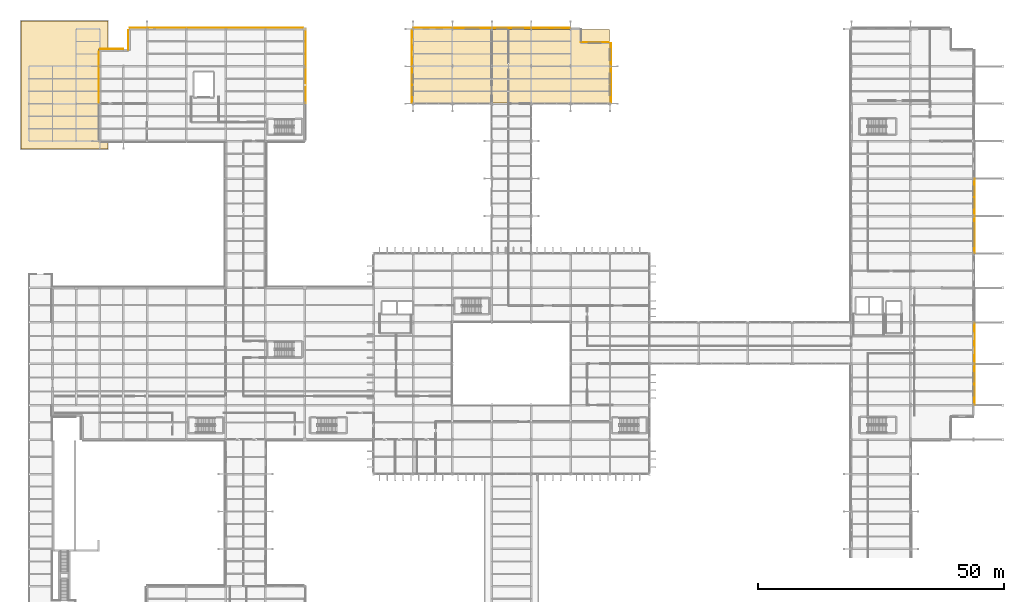
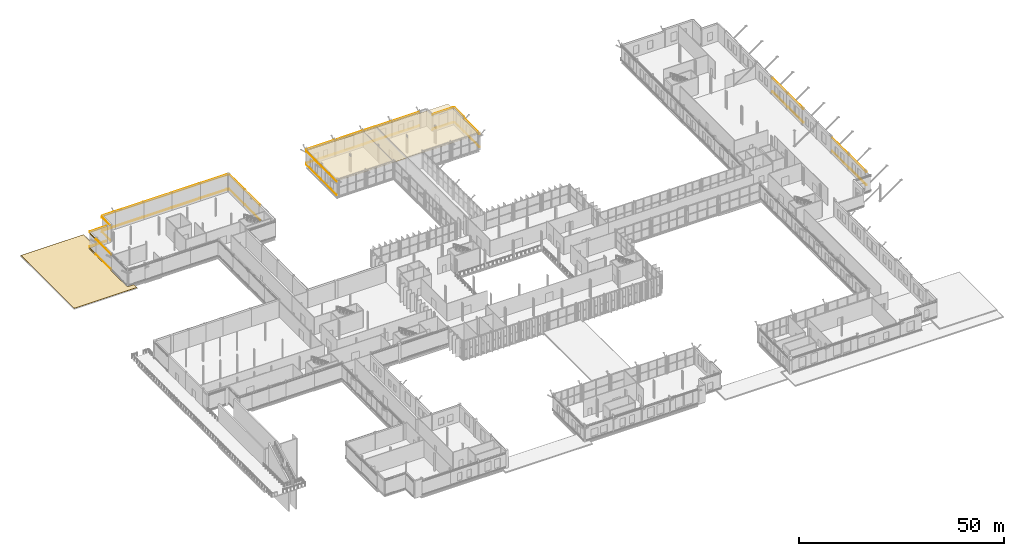
# One storey, part 146 of 147: 50 coverings.
"""IFC4 building model written with IfcOpenShell, lengths in metres."""

import ifcopenshell
import ifcopenshell.guid

model = None  # the IFC model being written
_history = None  # IfcOwnerHistory: only IFC2X3 demands one
_inside = {}  # id of a spatial element -> (the spatial element, [elements in it])
_under = {}  # id of a project, library or spatial element -> (it, [spatial elements below it])
_declared = {}  # id of a project -> (the project, [libraries it declares])
_typed = {}  # id of a type object -> (the type object, [elements of that type])
_made_of = {}  # id of a material, layer set ... -> (it, [elements and type objects made of it])


def new_model(schema):
    """Start an empty IFC model of exactly this schema.

    Asked for "IFC4X3", IfcOpenShell would pick the latest addendum, in which some entities
    have other attributes; the version numbers below select the first issue.
    IFC2X3 requires an IfcOwnerHistory on every rooted entity: one is made here for all.
    """
    global model, _history
    if schema == "IFC4X3":
        model = ifcopenshell.file(schema_version=(4, 3, 0, 0))
    else:
        model = ifcopenshell.file(schema=schema)
    _inside.clear()
    _under.clear()
    _declared.clear()
    _typed.clear()
    _made_of.clear()
    _history = None
    if model.schema == "IFC2X3":
        org = make("IfcOrganization", Name="unknown")
        user = make(
            "IfcPersonAndOrganization",
            ThePerson=make("IfcPerson", FamilyName="unknown"),
            TheOrganization=org,
        )
        app = make(
            "IfcApplication",
            ApplicationDeveloper=org,
            Version="unknown",
            ApplicationFullName="unknown",
            ApplicationIdentifier="unknown",
        )
        _history = make(
            "IfcOwnerHistory",
            OwningUser=user,
            OwningApplication=app,
            ChangeAction="ADDED",
            CreationDate=0,
        )
    return model


def make(cls, **values):
    """One entity of the class cls with the attributes given. An attribute that is None is left unset."""
    return model.create_entity(
        cls, **{name: value for name, value in values.items() if value is not None}
    )


def rooted(cls, **values):
    """An entity with a GlobalId (a new one), such as an element, a storey or a relation."""
    return make(cls, GlobalId=ifcopenshell.guid.new(), OwnerHistory=_history, **values)


def si_unit(unit_type, name, prefix=None):
    """IfcSIUnit, for example si_unit("LENGTHUNIT", "METRE", prefix="MILLI")."""
    return make("IfcSIUnit", UnitType=unit_type, Prefix=prefix, Name=name)


def assignment(units):
    """IfcUnitAssignment: the units of a project."""
    return None if units is None else make("IfcUnitAssignment", Units=units)


def point(xyz):
    """IfcCartesianPoint."""
    return None if xyz is None else make("IfcCartesianPoint", Coordinates=xyz)


def direction(xyz):
    """IfcDirection."""
    return None if xyz is None else make("IfcDirection", DirectionRatios=xyz)


def frame(location, z_axis=None, x_axis=None):
    """IfcAxis2Placement3D, a coordinate frame: its origin and axes. An axis left out is left unset."""
    return make(
        "IfcAxis2Placement3D",
        Location=point(location),
        Axis=direction(z_axis),
        RefDirection=direction(x_axis),
    )


def frame_2d(location, x_axis=None):
    """IfcAxis2Placement2D, a coordinate frame in the plane: its origin and x axis."""
    return make(
        "IfcAxis2Placement2D", Location=point(location), RefDirection=direction(x_axis)
    )


def origin():
    """The frame at (0, 0, 0) with its axes left unset."""
    return frame((0.0, 0.0, 0.0))


def origin_2d():
    """The frame at (0, 0) in the plane with its x axis left unset."""
    return frame_2d((0.0, 0.0))


def place(relative_to, where):
    """IfcLocalPlacement: puts the frame where relative to a parent placement (None: the world)."""
    return make(
        "IfcLocalPlacement", PlacementRelTo=relative_to, RelativePlacement=where
    )


def context(
    kind, dimensions, precision=None, world=None, true_north=None, identifier=None
):
    """IfcGeometricRepresentationContext, for example the 3D "Model" context."""
    return make(
        "IfcGeometricRepresentationContext",
        ContextIdentifier=identifier,
        ContextType=kind,
        CoordinateSpaceDimension=dimensions,
        Precision=precision,
        WorldCoordinateSystem=world,
        TrueNorth=true_north,
    )


def subcontext(parent, identifier, kind, view, scale=None):
    """IfcGeometricRepresentationSubContext, for example "Body" below "Model"."""
    return make(
        "IfcGeometricRepresentationSubContext",
        ContextIdentifier=identifier,
        ContextType=kind,
        ParentContext=parent,
        TargetScale=scale,
        TargetView=view,
    )


def project(units=None, contexts=None):
    """IfcProject with its units and contexts."""
    return rooted(
        "IfcProject",
        Name="project",
        RepresentationContexts=contexts,
        UnitsInContext=assignment(units),
    )


def spatial(cls, under=None, at=None, **own):
    """A site, building, storey or space (cls), placed at a placement, below another one or the project."""
    s = rooted(cls, ObjectPlacement=at, **own)
    if under is not None:
        _under.setdefault(under.id(), (under, []))[1].append(s)
    return s


def polyline(points):
    """IfcPolyline through the points."""
    return make("IfcPolyline", Points=[point(p) for p in points])


def profile(cls, at=None, kind="AREA", **sizes):
    """A parametric profile (cls). Its sizes go by their IFC names, for example OverallWidth=200.0."""
    return make(cls, ProfileType=kind, Position=at, **sizes)


def rectangle(**sizes):
    """IfcRectangleProfileDef."""
    return profile("IfcRectangleProfileDef", **sizes)


def outline(outer, holes=None, kind="AREA"):
    """IfcArbitraryClosedProfileDef: a profile drawn as a closed curve; with holes, ...WithVoids."""
    if holes is None:
        return make("IfcArbitraryClosedProfileDef", ProfileType=kind, OuterCurve=outer)
    return make(
        "IfcArbitraryProfileDefWithVoids",
        ProfileType=kind,
        OuterCurve=outer,
        InnerCurves=holes,
    )


def extrude(swept, where, along, depth):
    """IfcExtrudedAreaSolid: the profile swept, set in the frame where, extruded along a direction by depth."""
    return make(
        "IfcExtrudedAreaSolid",
        SweptArea=swept,
        Position=where,
        ExtrudedDirection=direction(along),
        Depth=depth,
    )


def shape(context_of_items, identifier, shape_type, items):
    """IfcShapeRepresentation: the items that make up one representation, for example the "Body"."""
    return make(
        "IfcShapeRepresentation",
        ContextOfItems=context_of_items,
        RepresentationIdentifier=identifier,
        RepresentationType=shape_type,
        Items=items,
    )


def material(Name=None, Category=None):
    """IfcMaterial."""
    return make("IfcMaterial", Name=Name, Category=Category)


def layer(
    of_material, thickness, ventilated=None, Name=None, Category=None, Priority=None
):
    """IfcMaterialLayer: one layer of a wall or slab, of a material (None: an air gap)."""
    return make(
        "IfcMaterialLayer",
        Material=of_material,
        LayerThickness=thickness,
        IsVentilated=ventilated,
        Name=Name,
        Category=Category,
        Priority=Priority,
    )


def layer_set(layers, Name=None):
    """IfcMaterialLayerSet."""
    return make("IfcMaterialLayerSet", MaterialLayers=layers, LayerSetName=Name)


def made_of(thing, what):
    """Note that an element or type object is made of a material, layer set ...; save() writes the relation."""
    if what is not None:
        _made_of.setdefault(what.id(), (what, []))[1].append(thing)
    return thing


def type_object(cls, material=None, **own):
    """A type object (cls), such as IfcWallType, which elements share."""
    return made_of(rooted(cls, **own), material)


def element(
    cls,
    number,
    at=None,
    inside=None,
    cuts=None,
    type_object=None,
    material=None,
    context=None,
    identifier="Body",
    shape_type=None,
    held_by="IfcProductDefinitionShape",
    body=None,
    shapes=None,
    **own,
):
    """One element of the class cls, such as IfcWall. Its Tag is "e" and its number.

    at: its placement. inside: the storey or other place that contains it. cuts: it is an
    opening in that element (IfcRelVoidsElement). A single representation is given by context,
    identifier, shape_type and body (its items); several are given by shapes. held_by: the class
    of the entity that holds the representations. save() writes the other relations.
    """
    e = rooted(cls, Tag="e%d" % number, ObjectPlacement=at, **own)
    if body is not None:
        shapes = [shape(context, identifier, shape_type, body)]
    if shapes is not None:
        e.Representation = make(held_by, Representations=shapes)
    if inside is not None:
        _inside.setdefault(inside.id(), (inside, []))[1].append(e)
    if cuts is not None:
        rooted(
            "IfcRelVoidsElement", RelatingBuildingElement=cuts, RelatedOpeningElement=e
        )
    if type_object is not None:
        _typed.setdefault(type_object.id(), (type_object, []))[1].append(e)
    return made_of(e, material)


def aggregate(whole, parts):
    """IfcRelAggregates: a whole, such as a stair, and the parts it consists of."""
    return rooted("IfcRelAggregates", RelatingObject=whole, RelatedObjects=parts)


def save(model, path):
    """Write the relations noted so far, then the file.

    IfcRelAggregates (storeys below a building ...), IfcRelContainedInSpatialStructure (elements
    in a storey), IfcRelDefinesByType, IfcRelAssociatesMaterial and IfcRelDeclares: one each for
    every whole, place, type object, material and project.
    """
    for whole, parts in _under.values():
        aggregate(whole, parts)
    for where, things in _inside.values():
        rooted(
            "IfcRelContainedInSpatialStructure",
            RelatedElements=things,
            RelatingStructure=where,
        )
    for kind, things in _typed.values():
        rooted("IfcRelDefinesByType", RelatedObjects=things, RelatingType=kind)
    for what, things in _made_of.values():
        rooted("IfcRelAssociatesMaterial", RelatedObjects=things, RelatingMaterial=what)
    for by, libraries in _declared.values():
        rooted("IfcRelDeclares", RelatingContext=by, RelatedDefinitions=libraries)
    model.write(path)


model = new_model("IFC4")

# Units and contexts
model_context = context("Model", 3, precision=1e-05, world=origin(), true_north=direction((0.0, 1.0)))
body_context = subcontext(model_context, "Body", "Model", "MODEL_VIEW")
ifc_project = project(units=[si_unit("LENGTHUNIT", "METRE"), si_unit("AREAUNIT", "SQUARE_METRE"), si_unit("VOLUMEUNIT", "CUBIC_METRE"), si_unit("PLANEANGLEUNIT", "RADIAN"), si_unit("MASSUNIT", "GRAM", prefix="KILO")], contexts=[model_context])

# Site, building, storey
site_placement = place(None, origin())
site = spatial("IfcSite", under=ifc_project, at=site_placement, CompositionType="ELEMENT")
building_placement = place(site_placement, origin())
building = spatial("IfcBuilding", under=site, at=building_placement, Name="Vekula Escarpment Museum", CompositionType="ELEMENT")
storey_placement = place(building_placement, frame((0.0, 0.0, 7.800048828125)))
storey = spatial("IfcBuildingStorey", under=building, at=storey_placement, Name="L02", CompositionType="ELEMENT", Elevation=7.800048828125)

# Coverings
ifc_material_1 = material(Name="Polychrome limestone almasik string-course band", Category="masonry")
ifc_layer_1 = layer(ifc_material_1, 0.06005859375)
ifc_layer_set_1 = layer_set([ifc_layer_1], Name="Polychrome limestone almasik string-course band")
covering_type_1 = type_object("IfcCoveringType", Name="COV-ALM-BAND", PredefinedType="CLADDING", material=ifc_layer_set_1)
for number, where, z_axis, x_axis, name in (
    (1, (192.01611328125, 63.800048828125, 0.41015625), (0.0, 0.0, 1.0), (0.0, 1.0, 0.0), "Almasik Stone String Course L02-0306"),
    (2, (192.01611328125, 63.800048828125, 4.3349609375), (0.0, 0.0, 1.0), (0.0, 1.0, 0.0), "Almasik Stone String Course L02-0307"),
    (3, (192.0009765625, 72.199951171875, 0.41015625), (0.0, 0.0, 1.0), (0.0, 1.0, 0.0), "Almasik Stone String Course L02-0308"),
    (4, (192.0009765625, 72.199951171875, 4.3349609375), (0.0, 0.0, 1.0), (0.0, 1.0, 0.0), "Almasik Stone String Course L02-0309"),
):
    element("IfcCovering", number, at=place(storey_placement, frame(where, z_axis=z_axis, x_axis=x_axis)), inside=storey, type_object=covering_type_1, Name=name, PredefinedType="CLADDING", context=body_context, shape_type="SweptSolid", body=[
        extrude(rectangle(XDim=8.280029296875, YDim=0.06005859375, at=origin_2d()), origin(), (0.0, 0.0, 1.0), 0.219970703125),
    ])
for number, where, z_axis, x_axis, name in (
    (5, (192.01611328125, 94.199951171875, 0.41015625), (0.0, 0.0, 1.0), (0.0, 1.0, 0.0), "Almasik Stone String Course L02-0314"),
    (6, (192.01611328125, 94.199951171875, 4.48486328125), (0.0, 0.0, 1.0), (0.0, 1.0, 0.0), "Almasik Stone String Course L02-0315"),
    (7, (192.0009765625, 101.800048828125, 0.41015625), (0.0, 0.0, 1.0), (0.0, 1.0, 0.0), "Almasik Stone String Course L02-0316"),
    (8, (192.0009765625, 101.800048828125, 4.48486328125), (0.0, 0.0, 1.0), (0.0, 1.0, 0.0), "Almasik Stone String Course L02-0317"),
):
    element("IfcCovering", number, at=place(storey_placement, frame(where, z_axis=z_axis, x_axis=x_axis)), inside=storey, type_object=covering_type_1, Name=name, PredefinedType="CLADDING", context=body_context, shape_type="SweptSolid", body=[
        extrude(rectangle(XDim=7.47998046875, YDim=0.06005859375, at=origin_2d()), origin(), (0.0, 0.0, 1.0), 0.219970703125),
    ])
for number, where, z_axis, x_axis, name in (
    (9, (118.216064453125, 124.689453125, 0.41015625), (0.0, 0.0, 1.0), (0.0, 1.0, 0.0), "Almasik Stone String Course L02-0350"),
    (10, (118.216064453125, 124.689453125, 4.35498046875), (0.0, 0.0, 1.0), (0.0, 1.0, 0.0), "Almasik Stone String Course L02-0351"),
):
    element("IfcCovering", number, at=place(storey_placement, frame(where, z_axis=z_axis, x_axis=x_axis)), inside=storey, type_object=covering_type_1, Name=name, PredefinedType="CLADDING", context=body_context, shape_type="SweptSolid", body=[
        extrude(rectangle(XDim=7.301025390625, YDim=0.06005859375, at=origin_2d()), origin(), (0.0, 0.0, 1.0), 0.219970703125),
    ])
for number, where, z_axis, x_axis, name in (
    (11, (118.200927734375, 130.756103515625, 0.41015625), (0.0, 0.0, 1.0), (0.0, 1.0, 0.0), "Almasik Stone String Course L02-0352"),
    (12, (118.200927734375, 130.756103515625, 4.81982421875), (0.0, 0.0, 1.0), (0.0, 1.0, 0.0), "Almasik Stone String Course L02-0353"),
):
    element("IfcCovering", number, at=place(storey_placement, frame(where, z_axis=z_axis, x_axis=x_axis)), inside=storey, type_object=covering_type_1, Name=name, PredefinedType="CLADDING", context=body_context, shape_type="SweptSolid", body=[
        extrude(rectangle(XDim=4.592041015625, YDim=0.06005859375, at=origin_2d()), origin(), (0.0, 0.0, 1.0), 0.219970703125),
    ])
for number, where, z_axis, x_axis, name in (
    (13, (114.910400390625, 133.298095703125, 0.41015625), (0.0, 0.0, 1.0), (1.0, 0.0, 0.0), "Almasik Stone String Course L02-0354"),
    (14, (114.910400390625, 133.298095703125, 4.81982421875), (0.0, 0.0, 1.0), (1.0, 0.0, 0.0), "Almasik Stone String Course L02-0355"),
):
    element("IfcCovering", number, at=place(storey_placement, frame(where, z_axis=z_axis, x_axis=x_axis)), inside=storey, type_object=covering_type_1, Name=name, PredefinedType="CLADDING", context=body_context, shape_type="SweptSolid", body=[
        extrude(rectangle(XDim=5.700927734375, YDim=0.06005859375, at=origin_2d()), origin(), (0.0, 0.0, 1.0), 0.219970703125),
    ])
for number, where, z_axis, x_axis, name in (
    (15, (106.0, 136.200927734375, 0.41015625), (0.0, 0.0, 1.0), (1.0, 0.0, 0.0), "Almasik Stone String Course L02-0358"),
    (16, (106.0, 136.200927734375, 4.46484375), (0.0, 0.0, 1.0), (1.0, 0.0, 0.0), "Almasik Stone String Course L02-0359"),
    (17, (98.0, 136.18603515625, 0.41015625), (0.0, 0.0, 1.0), (1.0, 0.0, 0.0), "Almasik Stone String Course L02-0360"),
    (18, (98.0, 136.18603515625, 4.46484375), (0.0, 0.0, 1.0), (1.0, 0.0, 0.0), "Almasik Stone String Course L02-0361"),
    (19, (90.0, 136.176025390625, 0.41015625), (0.0, 0.0, 1.0), (1.0, 0.0, 0.0), "Almasik Stone String Course L02-0362"),
    (20, (90.0, 136.176025390625, 4.46484375), (0.0, 0.0, 1.0), (1.0, 0.0, 0.0), "Almasik Stone String Course L02-0363"),
    (21, (82.0, 136.216064453125, 0.41015625), (0.0, 0.0, 1.0), (1.0, 0.0, 0.0), "Almasik Stone String Course L02-0364"),
    (22, (82.0, 136.216064453125, 4.46484375), (0.0, 0.0, 1.0), (1.0, 0.0, 0.0), "Almasik Stone String Course L02-0365"),
):
    element("IfcCovering", number, at=place(storey_placement, frame(where, z_axis=z_axis, x_axis=x_axis)), inside=storey, type_object=covering_type_1, Name=name, PredefinedType="CLADDING", context=body_context, shape_type="SweptSolid", body=[
        extrude(rectangle(XDim=7.8798828125, YDim=0.06005859375, at=origin_2d()), origin(), (0.0, 0.0, 1.0), 0.219970703125),
    ])
for number, where, z_axis, x_axis, name in (
    (23, (77.799072265625, 132.10302734375, 0.41015625), (0.0, 0.0, 1.0), (0.0, 1.0, 0.0), "Almasik Stone String Course L02-0366"),
    (24, (77.799072265625, 132.10302734375, 4.35498046875), (0.0, 0.0, 1.0), (0.0, 1.0, 0.0), "Almasik Stone String Course L02-0367"),
):
    element("IfcCovering", number, at=place(storey_placement, frame(where, z_axis=z_axis, x_axis=x_axis)), inside=storey, type_object=covering_type_1, Name=name, PredefinedType="CLADDING", context=body_context, shape_type="SweptSolid", body=[
        extrude(rectangle(XDim=7.285888671875, YDim=0.06005859375, at=origin_2d()), origin(), (0.0, 0.0, 1.0), 0.219970703125),
    ])
for number, where, z_axis, x_axis, name in (
    (25, (77.81396484375, 124.60009765625, 0.41015625), (0.0, 0.0, 1.0), (0.0, 1.0, 0.0), "Almasik Stone String Course L02-0368"),
    (26, (77.81396484375, 124.60009765625, 4.35498046875), (0.0, 0.0, 1.0), (0.0, 1.0, 0.0), "Almasik Stone String Course L02-0369"),
    (27, (56.22607421875, 124.60009765625, 0.41015625), (0.0, 0.0, 1.0), (0.0, 1.0, 0.0), "Almasik Stone String Course L02-0386"),
    (28, (56.22607421875, 124.60009765625, 4.81982421875), (0.0, 0.0, 1.0), (0.0, 1.0, 0.0), "Almasik Stone String Course L02-0387"),
    (29, (56.22607421875, 132.199951171875, 0.41015625), (0.0, 0.0, 1.0), (0.0, 1.0, 0.0), "Almasik Stone String Course L02-0388"),
    (30, (56.22607421875, 132.199951171875, 4.81982421875), (0.0, 0.0, 1.0), (0.0, 1.0, 0.0), "Almasik Stone String Course L02-0389"),
):
    element("IfcCovering", number, at=place(storey_placement, frame(where, z_axis=z_axis, x_axis=x_axis)), inside=storey, type_object=covering_type_1, Name=name, PredefinedType="CLADDING", context=body_context, shape_type="SweptSolid", body=[
        extrude(rectangle(XDim=7.47998046875, YDim=0.06005859375, at=origin_2d()), origin(), (0.0, 0.0, 1.0), 0.219970703125),
    ])
for number, where, z_axis, x_axis, name in (
    (31, (51.89794921875, 136.22607421875, 0.41015625), (0.0, 0.0, 1.0), (1.0, 0.0, 0.0), "Almasik Stone String Course L02-0390"),
    (32, (51.89794921875, 136.22607421875, 4.81982421875), (0.0, 0.0, 1.0), (1.0, 0.0, 0.0), "Almasik Stone String Course L02-0391"),
):
    element("IfcCovering", number, at=place(storey_placement, frame(where, z_axis=z_axis, x_axis=x_axis)), inside=storey, type_object=covering_type_1, Name=name, PredefinedType="CLADDING", context=body_context, shape_type="SweptSolid", body=[
        extrude(rectangle(XDim=7.676025390625, YDim=0.06005859375, at=origin_2d()), origin(), (0.0, 0.0, 1.0), 0.219970703125),
    ])
for number, where, z_axis, x_axis, name in (
    (33, (44.0, 136.22607421875, 0.41015625), (0.0, 0.0, 1.0), (1.0, 0.0, 0.0), "Almasik Stone String Course L02-0392"),
    (34, (44.0, 136.22607421875, 4.81982421875), (0.0, 0.0, 1.0), (1.0, 0.0, 0.0), "Almasik Stone String Course L02-0393"),
    (35, (36.0, 136.22607421875, 0.41015625), (0.0, 0.0, 1.0), (1.0, 0.0, 0.0), "Almasik Stone String Course L02-0394"),
    (36, (36.0, 136.22607421875, 4.81982421875), (0.0, 0.0, 1.0), (1.0, 0.0, 0.0), "Almasik Stone String Course L02-0395"),
    (37, (28.0, 136.22607421875, 0.41015625), (0.0, 0.0, 1.0), (1.0, 0.0, 0.0), "Almasik Stone String Course L02-0396"),
    (38, (28.0, 136.22607421875, 4.81982421875), (0.0, 0.0, 1.0), (1.0, 0.0, 0.0), "Almasik Stone String Course L02-0397"),
):
    element("IfcCovering", number, at=place(storey_placement, frame(where, z_axis=z_axis, x_axis=x_axis)), inside=storey, type_object=covering_type_1, Name=name, PredefinedType="CLADDING", context=body_context, shape_type="SweptSolid", body=[
        extrude(rectangle(XDim=7.8798828125, YDim=0.06005859375, at=origin_2d()), origin(), (0.0, 0.0, 1.0), 0.219970703125),
    ])
for number, where, z_axis, x_axis, name in (
    (39, (22.199951171875, 136.22607421875, 0.41015625), (0.0, 0.0, 1.0), (1.0, 0.0, 0.0), "Almasik Stone String Course L02-0398"),
    (40, (22.199951171875, 136.22607421875, 4.81982421875), (0.0, 0.0, 1.0), (1.0, 0.0, 0.0), "Almasik Stone String Course L02-0399"),
):
    element("IfcCovering", number, at=place(storey_placement, frame(where, z_axis=z_axis, x_axis=x_axis)), inside=storey, type_object=covering_type_1, Name=name, PredefinedType="CLADDING", context=body_context, shape_type="SweptSolid", body=[
        extrude(rectangle(XDim=3.47998046875, YDim=0.06005859375, at=origin_2d()), origin(), (0.0, 0.0, 1.0), 0.219970703125),
    ])
for number, where, z_axis, x_axis, name in (
    (41, (20.174072265625, 133.73193359375, 0.41015625), (0.0, 0.0, 1.0), (0.0, 1.0, 0.0), "Almasik Stone String Course L02-0400"),
    (42, (20.174072265625, 133.73193359375, 4.81982421875), (0.0, 0.0, 1.0), (0.0, 1.0, 0.0), "Almasik Stone String Course L02-0401"),
):
    element("IfcCovering", number, at=place(storey_placement, frame(where, z_axis=z_axis, x_axis=x_axis)), inside=storey, type_object=covering_type_1, Name=name, PredefinedType="CLADDING", context=body_context, shape_type="SweptSolid", body=[
        extrude(rectangle(XDim=4.008056640625, YDim=0.06005859375, at=origin_2d()), origin(), (0.0, 0.0, 1.0), 0.219970703125),
    ])
for number, where, z_axis, x_axis, name in (
    (43, (16.800048828125, 131.89404296875, 0.41015625), (0.0, 0.0, 1.0), (1.0, 0.0, 0.0), "Almasik Stone String Course L02-0402"),
    (44, (16.800048828125, 131.89404296875, 4.81982421875), (0.0, 0.0, 1.0), (1.0, 0.0, 0.0), "Almasik Stone String Course L02-0403"),
):
    element("IfcCovering", number, at=place(storey_placement, frame(where, z_axis=z_axis, x_axis=x_axis)), inside=storey, type_object=covering_type_1, Name=name, PredefinedType="CLADDING", context=body_context, shape_type="SweptSolid", body=[
        extrude(rectangle(XDim=4.679931640625, YDim=0.06005859375, at=origin_2d()), origin(), (0.0, 0.0, 1.0), 0.219970703125),
    ])
for number, where, z_axis, x_axis, name in (
    (45, (14.174072265625, 129.931884765625, 0.41015625), (0.0, 0.0, 1.0), (0.0, 1.0, 0.0), "Almasik Stone String Course L02-0404"),
    (46, (14.174072265625, 129.931884765625, 4.81982421875), (0.0, 0.0, 1.0), (0.0, 1.0, 0.0), "Almasik Stone String Course L02-0405"),
):
    element("IfcCovering", number, at=place(storey_placement, frame(where, z_axis=z_axis, x_axis=x_axis)), inside=storey, type_object=covering_type_1, Name=name, PredefinedType="CLADDING", context=body_context, shape_type="SweptSolid", body=[
        extrude(rectangle(XDim=2.944091796875, YDim=0.06005859375, at=origin_2d()), origin(), (0.0, 0.0, 1.0), 0.219970703125),
    ])
for number, where, z_axis, x_axis, name in (
    (47, (14.174072265625, 124.60009765625, 0.41015625), (0.0, 0.0, 1.0), (0.0, 1.0, 0.0), "Almasik Stone String Course L02-0406"),
    (48, (14.174072265625, 124.60009765625, 4.81982421875), (0.0, 0.0, 1.0), (0.0, 1.0, 0.0), "Almasik Stone String Course L02-0407"),
):
    element("IfcCovering", number, at=place(storey_placement, frame(where, z_axis=z_axis, x_axis=x_axis)), inside=storey, type_object=covering_type_1, Name=name, PredefinedType="CLADDING", context=body_context, shape_type="SweptSolid", body=[
        extrude(rectangle(XDim=7.47998046875, YDim=0.06005859375, at=origin_2d()), origin(), (0.0, 0.0, 1.0), 0.219970703125),
    ])
ifc_material_2 = material(Name="Perforated gypsum acoustic ceiling", Category="gypsum")
ifc_layer_2 = layer(ifc_material_2, 0.050048828125)
ifc_layer_set_2 = layer_set([ifc_layer_2], Name="Perforated gypsum acoustic ceiling")
covering_type_2 = type_object("IfcCoveringType", Name="COV-CEIL-AC60", PredefinedType="CEILING", material=ifc_layer_set_2)
covering_1_placement = place(storey_placement, frame((0.0, 0.0, 4.449951171875)))
element("IfcCovering", 49, at=covering_1_placement, inside=storey, type_object=covering_type_2, Name="Acoustic Gallery Ceiling L02-004", PredefinedType="CEILING", context=body_context, shape_type="SweptSolid", body=[
    extrude(outline(polyline([(78.10009765625, 120.89990234375), (117.89990234375, 120.89990234375), (117.89990234375, 135.89990234375), (78.10009765625, 135.89990234375), (78.10009765625, 120.89990234375)])), origin(), (0.0, 0.0, 1.0), 0.050048828125),
])
ifc_material_3 = material(Name="Standing-seam patinated copper roofing", Category="metal")
ifc_layer_3 = layer(ifc_material_3, 0.06005859375)
ifc_layer_set_3 = layer_set([ifc_layer_3], Name="Standing-seam patinated copper roofing")
covering_type_3 = type_object("IfcCoveringType", Name="COV-ROOF-COPPER", PredefinedType="ROOFING", material=ifc_layer_set_3)
covering_2_placement = place(storey_placement, origin())
element("IfcCovering", 50, at=covering_2_placement, inside=storey, type_object=covering_type_3, Name="Overhanging Eave Roof Covering R-L02-V5W0", PredefinedType="ROOFING", context=body_context, shape_type="SweptSolid", body=[
    extrude(outline(polyline([(-1.6201171875, 137.6201171875), (16.02001953125, 137.6201171875), (16.02001953125, 131.8779296875), (14.18994140625, 131.8779296875), (14.18994140625, 112.989990234375), (16.02001953125, 112.989990234375), (16.02001953125, 111.580078125), (-1.6201171875, 111.580078125), (-1.6201171875, 137.6201171875)])), origin(), (0.0, 0.0, 1.0), 0.06005859375),
])

save(model, "model.ifc")
